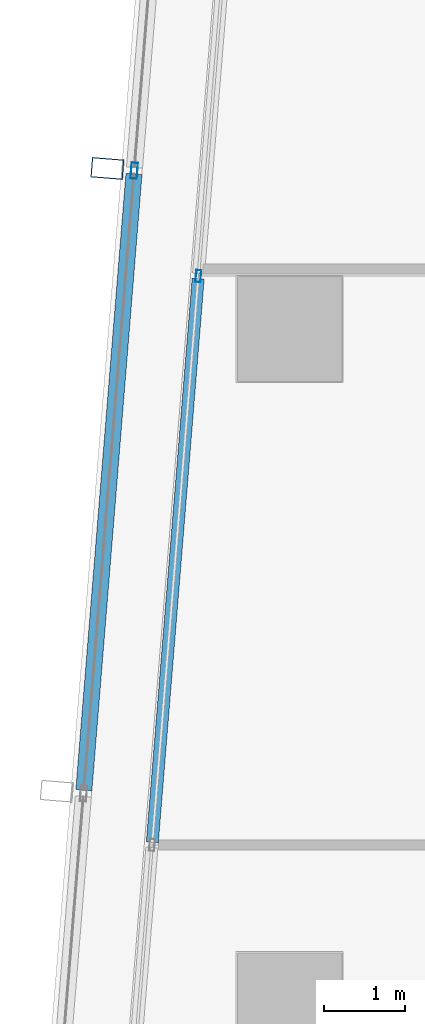
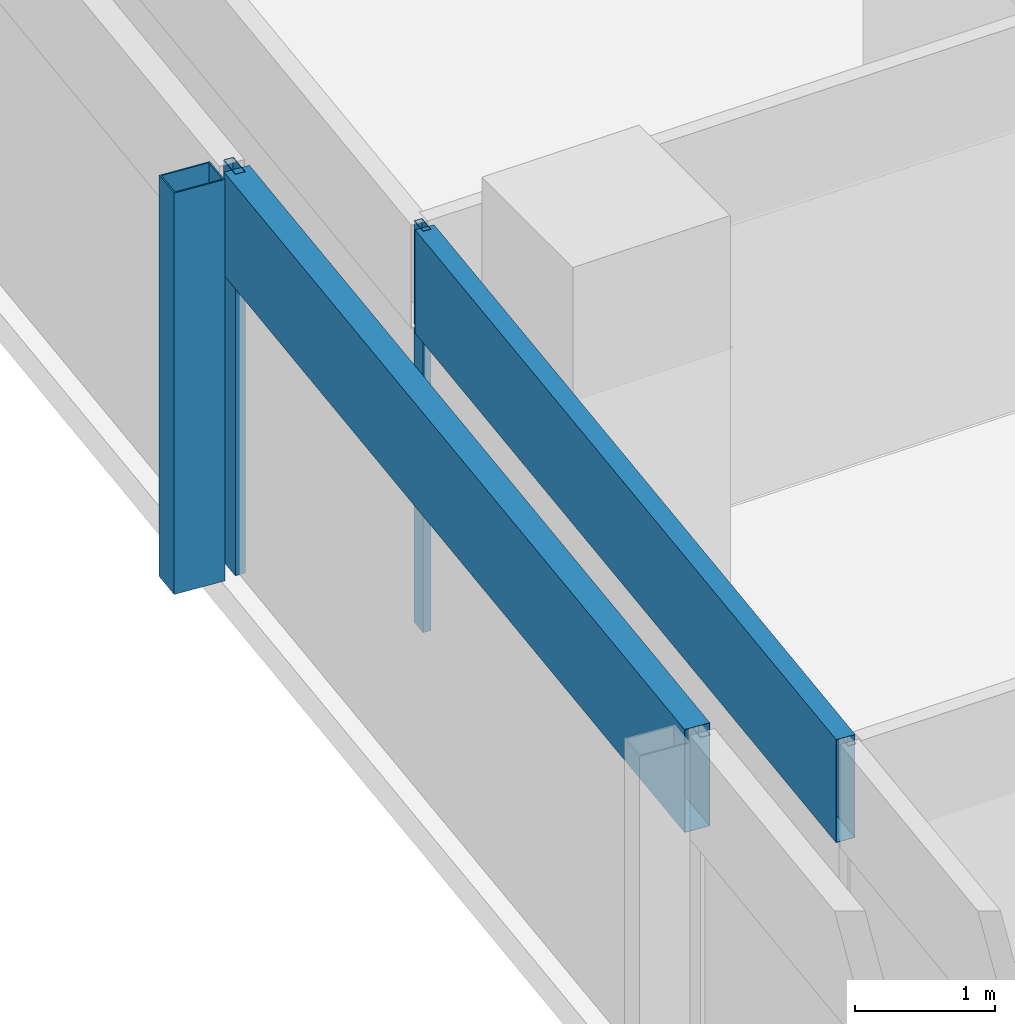
# One storey, part 8 of 30: 5 members, 2 elements without a shape of their own.
"""IFC4 building model written with IfcOpenShell, lengths in metres."""

from ifc_helpers import new_model, si_unit, direction, frame, origin, origin_2d, place, context, subcontext, project, spatial, hollow_rectangle, extrude, material, material_profile, profile_set, type_object, element, aggregate, save


model = new_model("IFC4")

# Units and contexts
model_context = context("Model", 3, precision=1e-05, world=origin(), true_north=direction((0.0, 1.0)))
body_context = subcontext(model_context, "Body", "Model", "MODEL_VIEW")
ifc_project = project(units=[si_unit("LENGTHUNIT", "METRE"), si_unit("AREAUNIT", "SQUARE_METRE"), si_unit("VOLUMEUNIT", "CUBIC_METRE"), si_unit("PLANEANGLEUNIT", "RADIAN"), si_unit("MASSUNIT", "GRAM", prefix="KILO")], contexts=[model_context])

# Site, building, storey
site_placement = place(None, origin())
site = spatial("IfcSite", under=ifc_project, at=site_placement, CompositionType="ELEMENT")
building_placement = place(site_placement, origin())
building = spatial("IfcBuilding", under=site, at=building_placement, Name="Rekha Terrace Tower", CompositionType="ELEMENT")
storey_placement = place(building_placement, frame((0.0, 0.0, 272.60009765625)))
storey = spatial("IfcBuildingStorey", under=building, at=storey_placement, Name="L69", CompositionType="ELEMENT", Elevation=272.60009765625)

# Curtain wall, member
ifc_material_1 = material(Name="Aluminium framing", Category="aluminium")
curtain_wall_type_1 = type_object("IfcCurtainWallType", Name="CW2 double skin outer glazing", PredefinedType="USERDEFINED", material=ifc_material_1)
curtain_wall_1_placement = place(storey_placement, origin())
curtain_wall_1 = element("IfcCurtainWall", 1, at=curtain_wall_1_placement, inside=storey, type_object=curtain_wall_type_1, Name="CW2 double skin outer glazing", ObjectType="DOUBLE SKIN OUTER GLAZING", PredefinedType="USERDEFINED")
ifc_material_2 = material(Name="Steel S355 with fluorocarbon finish", Category="steel")
ifc_material_profile_1 = material_profile(ifc_material_2, hollow_rectangle(XDim=0.25, YDim=0.39990234375, WallThickness=0.012451171875, at=origin_2d()), Name="RHS400x250x12.5")
ifc_profile_set_1 = profile_set([ifc_material_profile_1], Name="Steel S355 with fluorocarbon finish")
member_type_1 = type_object("IfcMemberType", Name="BL1 facade blade RHS 400 x 250", PredefinedType="USERDEFINED", material=ifc_profile_set_1)
member_1_placement = place(storey_placement, frame((6.135498046875, 43.9931640625, 0.0), z_axis=(0.0, 0.0, 1.0), x_axis=(-0.081068747348, -0.996708512156, 0.0)))
member_1 = element("IfcMember", 2, at=member_1_placement, type_object=member_type_1, Name="Facade blade", ObjectType="FACADE BLADE", PredefinedType="USERDEFINED", context=body_context, shape_type="SweptSolid", body=[
    extrude(hollow_rectangle(XDim=0.25, YDim=0.39990234375, WallThickness=0.012451171875, at=origin_2d()), origin(), (0.0, 0.0, 1.0), 3.5),
])

# Curtain wall, members
curtain_wall_type_2 = type_object("IfcCurtainWallType", Name="CW1 double skin inner glazing", PredefinedType="USERDEFINED", material=ifc_material_1)
curtain_wall_2_placement = place(storey_placement, origin())
curtain_wall_2 = element("IfcCurtainWall", 3, at=curtain_wall_2_placement, inside=storey, type_object=curtain_wall_type_2, Name="CW1 double skin inner glazing", ObjectType="DOUBLE SKIN INNER GLAZING", PredefinedType="USERDEFINED")
ifc_material_3 = material(Name="Aluminium mullion section", Category="aluminium")
ifc_material_profile_2 = material_profile(ifc_material_3, hollow_rectangle(XDim=0.06494140625, YDim=0.14990234375, WallThickness=0.00390625, at=origin_2d()), Name="AL RHS 65x150")
ifc_profile_set_2 = profile_set([ifc_material_profile_2], Name="Aluminium mullion section")
member_type_2 = type_object("IfcMemberType", Name="CW1 mullion RHS 65 x 150", PredefinedType="MULLION", material=ifc_profile_set_2)
member_2_placement = place(storey_placement, frame((7.265625, 42.65625, 0.0), z_axis=(0.0, 0.0, 1.0), x_axis=(0.996708580524, -0.081067906781, 0.0)))
member_2 = element("IfcMember", 4, at=member_2_placement, type_object=member_type_2, Name="CW1 mullion 2", PredefinedType="MULLION", context=body_context, shape_type="SweptSolid", body=[
    extrude(hollow_rectangle(XDim=0.06494140625, YDim=0.14990234375, WallThickness=0.00390625, at=origin_2d()), origin(), (0.0, 0.0, 1.0), 3.5),
])
ifc_material_4 = material(Name="Insulated aluminium spandrel box", Category="aluminium")
ifc_material_profile_3 = material_profile(ifc_material_4, hollow_rectangle(XDim=0.14990234375, YDim=0.89990234375, WallThickness=0.0029296875, at=origin_2d()), Name="AL SPANDREL BOX 150x900")
ifc_profile_set_3 = profile_set([ifc_material_profile_3], Name="Insulated aluminium spandrel box")
member_type_3 = type_object("IfcMemberType", Name="CW1 spandrel transom 150 x 900", PredefinedType="USERDEFINED", material=ifc_profile_set_3)
member_3_placement = place(storey_placement, frame((7.26318359375, 42.623779296875, 3.0498046875), z_axis=(-0.081080883426, -0.996707524976, 0.0), x_axis=(0.996707524976, -0.081080883426, 0.0)))
member_3 = element("IfcMember", 5, at=member_3_placement, type_object=member_type_3, Name="CW1 spandrel transom 2", ObjectType="TRANSOM", PredefinedType="USERDEFINED", context=body_context, shape_type="SweptSolid", body=[
    extrude(hollow_rectangle(XDim=0.14990234375, YDim=0.89990234375, WallThickness=0.0029296875, at=origin_2d()), origin(), (0.0, 0.0, 1.0), 7.02490234375),
])
aggregate(curtain_wall_2, [member_2, member_3])

# Member
ifc_material_profile_4 = material_profile(ifc_material_3, hollow_rectangle(XDim=0.080078125, YDim=0.199951171875, WallThickness=0.00390625, at=origin_2d()), Name="AL RHS 80x200")
ifc_profile_set_4 = profile_set([ifc_material_profile_4], Name="Aluminium mullion section")
member_type_4 = type_object("IfcMemberType", Name="CW2 mullion RHS 80 x 200", PredefinedType="MULLION", material=ifc_profile_set_4)
member_4_placement = place(storey_placement, frame((6.46923828125, 43.9658203125, 0.0), z_axis=(0.0, 0.0, 1.0), x_axis=(0.996708580521, -0.081067906816, 0.0)))
member_4 = element("IfcMember", 6, at=member_4_placement, type_object=member_type_4, Name="CW2 mullion 2", PredefinedType="MULLION", context=body_context, shape_type="SweptSolid", body=[
    extrude(hollow_rectangle(XDim=0.080078125, YDim=0.199951171875, WallThickness=0.00390625, at=origin_2d()), origin(), (0.0, 0.0, 1.0), 3.5),
])

ifc_material_profile_5 = material_profile(ifc_material_4, hollow_rectangle(XDim=0.199951171875, YDim=0.89990234375, WallThickness=0.0029296875, at=origin_2d()), Name="AL SPANDREL BOX 200x900")
ifc_profile_set_5 = profile_set([ifc_material_profile_5], Name="Insulated aluminium spandrel box")
member_type_5 = type_object("IfcMemberType", Name="CW2 spandrel transom 200 x 900", PredefinedType="USERDEFINED", material=ifc_profile_set_5)
member_5_placement = place(storey_placement, frame((6.466064453125, 43.926025390625, 3.0498046875), z_axis=(-0.081082991857, -0.996707353455, 0.0), x_axis=(0.996707353455, -0.081082991857, 0.0)))
member_5 = element("IfcMember", 7, at=member_5_placement, type_object=member_type_5, Name="CW2 spandrel transom 2", ObjectType="TRANSOM", PredefinedType="USERDEFINED", context=body_context, shape_type="SweptSolid", body=[
    extrude(hollow_rectangle(XDim=0.199951171875, YDim=0.89990234375, WallThickness=0.0029296875, at=origin_2d()), origin(), (0.0, 0.0, 1.0), 7.68115234375),
])

aggregate(curtain_wall_1, [member_4, member_5, member_1])

save(model, "model.ifc")
